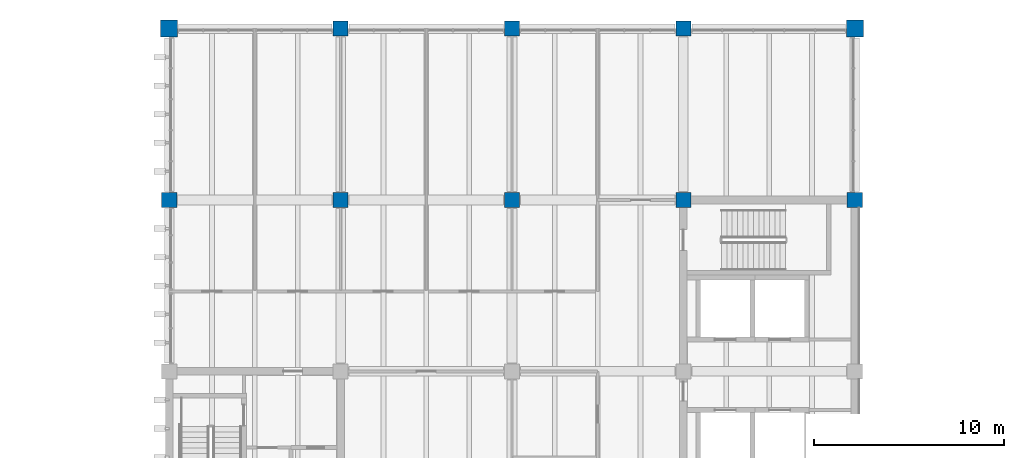
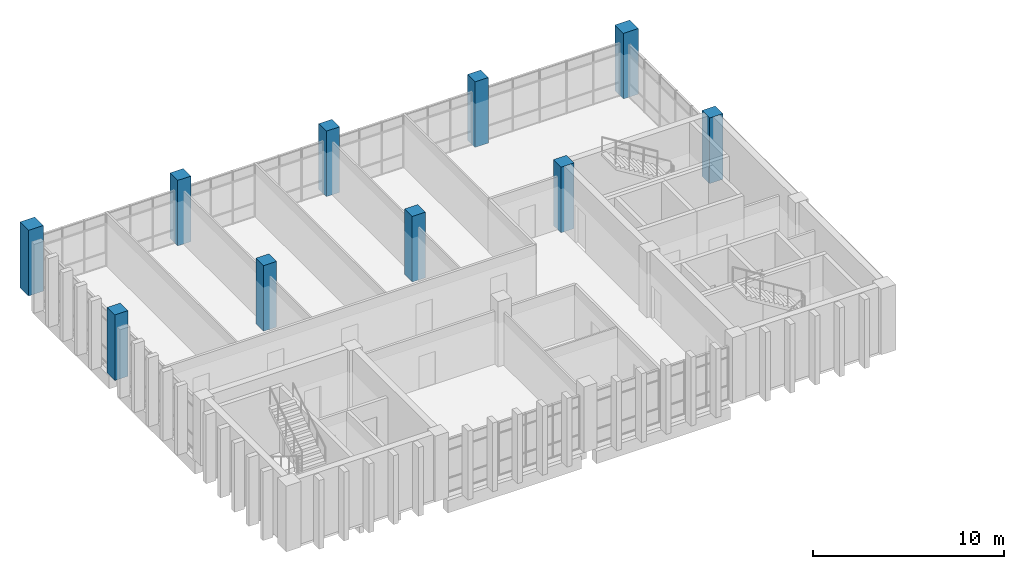
# One storey, part 2 of 50: 10 columns.
"""IFC4 building model written with IfcOpenShell, lengths in metres."""

from ifc_helpers import new_model, si_unit, direction, frame, origin, origin_2d, place, context, subcontext, project, spatial, rectangle, extrude, material, material_profile, profile_set, type_object, element, save


model = new_model("IFC4")

# Units and contexts
model_context = context("Model", 3, precision=1e-05, world=origin(), true_north=direction((0.0, 1.0)))
body_context = subcontext(model_context, "Body", "Model", "MODEL_VIEW")
ifc_project = project(units=[si_unit("LENGTHUNIT", "METRE"), si_unit("AREAUNIT", "SQUARE_METRE"), si_unit("VOLUMEUNIT", "CUBIC_METRE"), si_unit("PLANEANGLEUNIT", "RADIAN"), si_unit("MASSUNIT", "GRAM", prefix="KILO")], contexts=[model_context])

# Site, building, storey
site_placement = place(None, origin())
site = spatial("IfcSite", under=ifc_project, at=site_placement, CompositionType="ELEMENT")
building_placement = place(site_placement, origin())
building = spatial("IfcBuilding", under=site, at=building_placement, Name="Merrow Basin Faculty of Sciences", CompositionType="ELEMENT")
storey_placement = place(building_placement, frame((0.0, 0.0, 18.0)))
storey = spatial("IfcBuildingStorey", under=building, at=storey_placement, Name="L04", CompositionType="ELEMENT", Elevation=18.0)

# Columns
ifc_material_1 = material(Name="Concrete C50/60", Category="concrete")
ifc_material_profile_1 = material_profile(ifc_material_1, rectangle(XDim=0.800048828125, YDim=0.800048828125, at=origin_2d()))
ifc_profile_set_1 = profile_set([ifc_material_profile_1], Name="Concrete C50/60")
column_type_1 = type_object("IfcColumnType", Name="Column RC800x800 C50/60", PredefinedType="COLUMN", material=ifc_profile_set_1)
for number, where, z_axis, x_axis, name in (
    (1, (18.0, 160.0, 0.0), (0.0, 0.0, 1.0), (1.0, 0.0, 0.0), "Column S15 L04"),
    (2, (27.0, 160.0, 0.0), (0.0, 0.0, 1.0), (1.0, 0.0, 0.0), "Column D15 L04"),
    (3, (27.0, 169.0, 0.0), (0.0, 0.0, 1.0), (1.0, 0.0, 0.0), "Column D16 L04"),
    (4, (36.0, 160.0, 0.0), (0.0, 0.0, 1.0), (1.0, 0.0, 0.0), "Column E15 L04"),
    (5, (36.0, 169.0, 0.0), (0.0, 0.0, 1.0), (1.0, 0.0, 0.0), "Column E16 L04"),
    (6, (45.0, 160.0, 0.0), (0.0, 0.0, 1.0), (1.0, 0.0, 0.0), "Column F15 L04"),
    (7, (45.0, 169.0, 0.0), (0.0, 0.0, 1.0), (1.0, 0.0, 0.0), "Column F16 L04"),
    (8, (54.0, 160.0, 0.0), (0.0, 0.0, 1.0), (1.0, 0.0, 0.0), "Column G15 L04"),
):
    element("IfcColumn", number, at=place(storey_placement, frame(where, z_axis=z_axis, x_axis=x_axis)), inside=storey, type_object=column_type_1, Name=name, PredefinedType="COLUMN", context=body_context, shape_type="SweptSolid", body=[
        extrude(rectangle(XDim=0.800048828125, YDim=0.800048828125, at=origin_2d()), origin(), (0.0, 0.0, 1.0), 4.199951171875),
    ])
ifc_material_2 = material(Name="Concrete C50/60", Category="concrete")
ifc_material_profile_2 = material_profile(ifc_material_2, rectangle(XDim=0.89990234375, YDim=0.89990234375, at=origin_2d()))
ifc_profile_set_2 = profile_set([ifc_material_profile_2], Name="Concrete C50/60")
column_type_2 = type_object("IfcColumnType", Name="Column RC900x900 C50/60", PredefinedType="COLUMN", material=ifc_profile_set_2)
for number, where, z_axis, x_axis, name in (
    (9, (18.0, 169.0, 0.0), (0.0, 0.0, 1.0), (1.0, 0.0, 0.0), "Column S16 L04"),
    (10, (54.0, 169.0, 0.0), (0.0, 0.0, 1.0), (1.0, 0.0, 0.0), "Column G16 L04"),
):
    element("IfcColumn", number, at=place(storey_placement, frame(where, z_axis=z_axis, x_axis=x_axis)), inside=storey, type_object=column_type_2, Name=name, PredefinedType="COLUMN", context=body_context, shape_type="SweptSolid", body=[
        extrude(rectangle(XDim=0.89990234375, YDim=0.89990234375, at=origin_2d()), origin(), (0.0, 0.0, 1.0), 4.199951171875),
    ])

save(model, "model.ifc")
